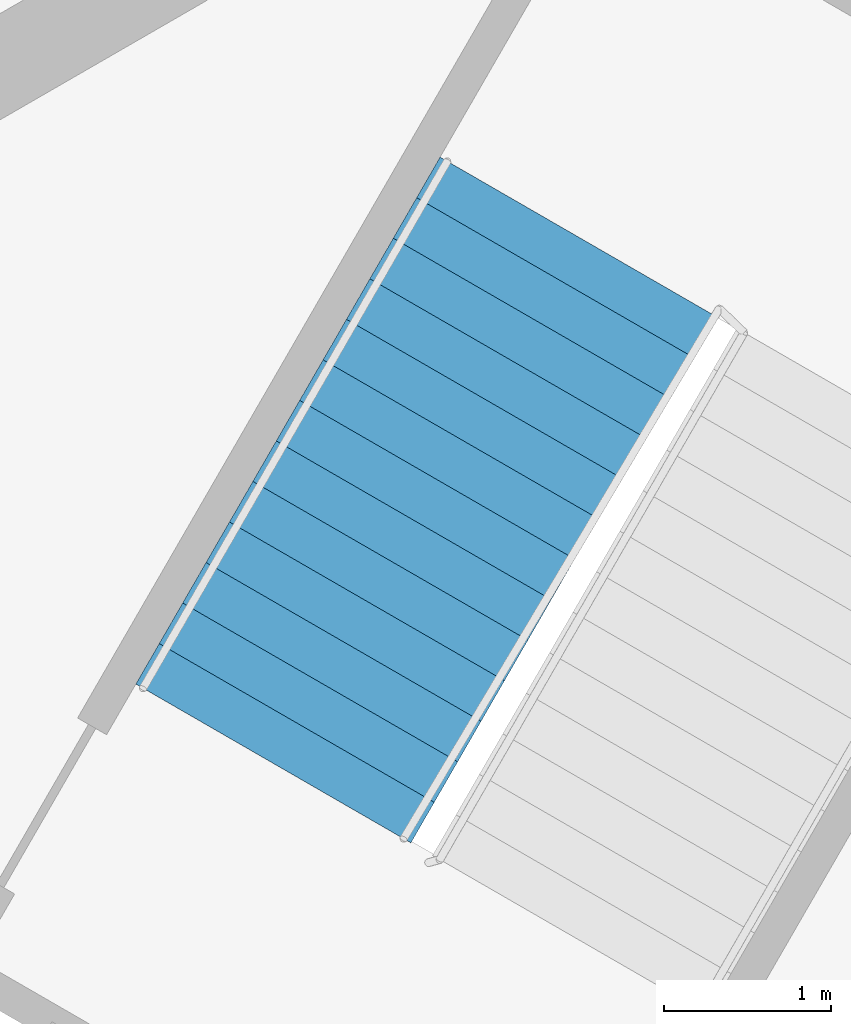
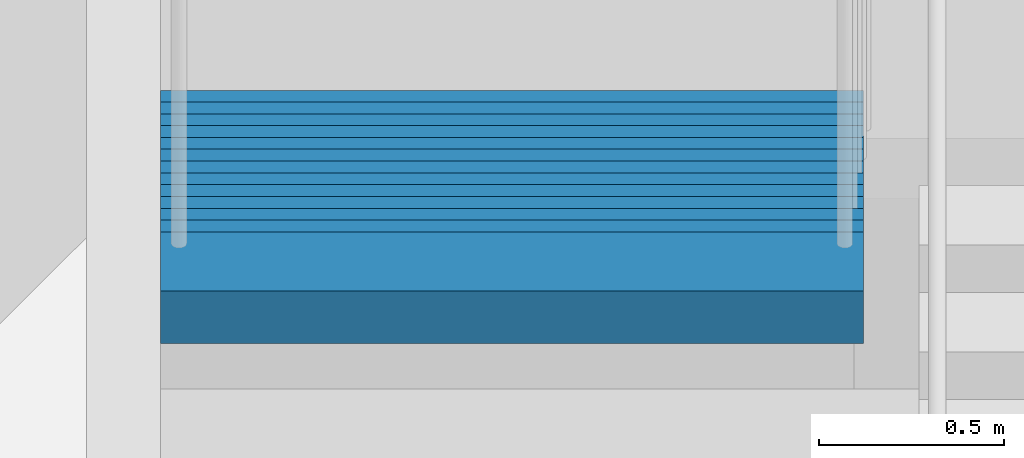
# One storey, part 13 of 15: 1 stair flight, 1 element without a shape of its own.
"""IFC4 building model written with IfcOpenShell, lengths in metres."""

from ifc_helpers import new_model, si_unit, direction, frame, origin, place, context, subcontext, project, spatial, polyline, outline, extrude, material, type_object, element, aggregate, save


model = new_model("IFC4")

# Units and contexts
model_context = context("Model", 3, precision=1e-05, world=origin(), true_north=direction((0.0, 1.0)))
body_context = subcontext(model_context, "Body", "Model", "MODEL_VIEW")
ifc_project = project(units=[si_unit("LENGTHUNIT", "METRE"), si_unit("AREAUNIT", "SQUARE_METRE"), si_unit("VOLUMEUNIT", "CUBIC_METRE"), si_unit("PLANEANGLEUNIT", "RADIAN"), si_unit("MASSUNIT", "GRAM", prefix="KILO")], contexts=[model_context])

# Site, building, storey
site_placement = place(None, origin())
site = spatial("IfcSite", under=ifc_project, at=site_placement, CompositionType="ELEMENT")
building_placement = place(site_placement, origin())
building = spatial("IfcBuilding", under=site, at=building_placement, Name="Jabali Bay Hotel Tower and Convention Centre", CompositionType="ELEMENT")
storey_placement = place(building_placement, frame((0.0, 0.0, 201.39990234375)))
storey = spatial("IfcBuildingStorey", under=building, at=storey_placement, Name="L49", CompositionType="ELEMENT", Elevation=201.39990234375)

# Stair, stair flight
ifc_material = material(Name="Concrete C40", Category="concrete")
stair_type = type_object("IfcStairType", Name="Exit stair 1900", PredefinedType="HALF_TURN_STAIR", material=ifc_material)
stair_placement = place(storey_placement, origin())
stair = element("IfcStair", 1, at=stair_placement, inside=storey, type_object=stair_type, Name="L49 Exit Stair 2", PredefinedType="HALF_TURN_STAIR")
stair_flight_type = type_object("IfcStairFlightType", Name="Stair flight concrete 150", PredefinedType="STRAIGHT", material=ifc_material)
stair_flight_placement = place(storey_placement, frame((85.222412109375, 99.755615234375, 2.2001953125), z_axis=(0.0, 0.0, 1.0), x_axis=(-0.5, -0.866025403784, 0.0)))
stair_flight = element("IfcStairFlight", 2, at=stair_flight_placement, type_object=stair_flight_type, Name="ST2 flight 2", NumberOfRisers=14, NumberOfTreads=13, PredefinedType="STRAIGHT", RiserHeight=0.157142857, TreadLength=0.28, context=body_context, shape_type="SweptSolid", body=[
    extrude(outline(polyline([(0.0, 0.0), (0.0, 0.1572265625), (0.280029296875, 0.1572265625), (0.280029296875, 0.314208984375), (0.56005859375, 0.314208984375), (0.56005859375, 0.471435546875), (0.840087890625, 0.471435546875), (0.840087890625, 0.628662109375), (1.1201171875, 0.628662109375), (1.1201171875, 0.78564453125), (1.39990234375, 0.78564453125), (1.39990234375, 0.94287109375), (1.679931640625, 0.94287109375), (1.679931640625, 1.10009765625), (1.9599609375, 1.10009765625), (1.9599609375, 1.257080078125), (2.239990234375, 1.257080078125), (2.239990234375, 1.414306640625), (2.52001953125, 1.414306640625), (2.52001953125, 1.571533203125), (2.800048828125, 1.571533203125), (2.800048828125, 1.728515625), (3.080078125, 1.728515625), (3.080078125, 1.8857421875), (3.360107421875, 1.8857421875), (3.360107421875, 2.04296875), (3.639892578125, 2.04296875), (3.639892578125, 2.199951171875), (3.639892578125, 1.870849609375), (0.306396484375, 0.0), (0.0, 0.0)])), frame((0.0, 0.949951171875, 0.0), z_axis=(0.0, -1.0, 0.0), x_axis=(1.0, 0.0, 0.0)), (0.0, 0.0, 1.0), 1.89990234375),
])
aggregate(stair, [stair_flight])

save(model, "model.ifc")
